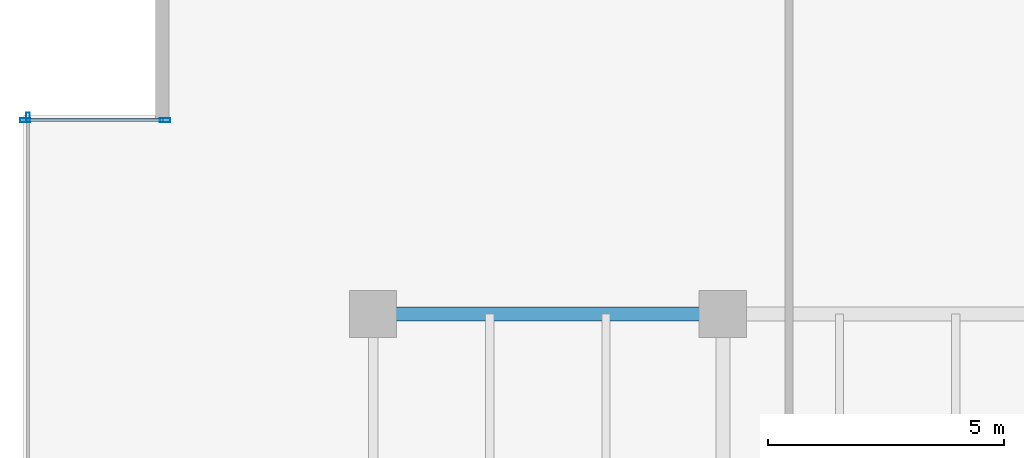
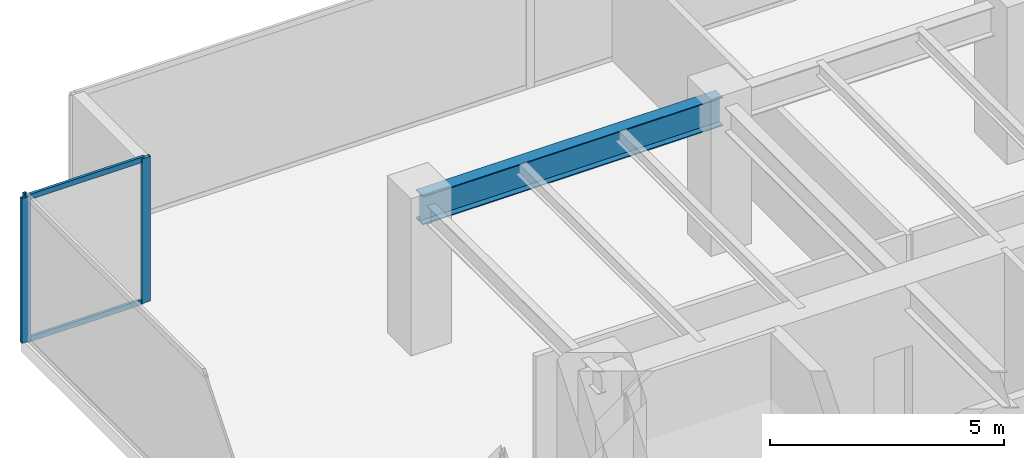
# One storey, part 12 of 35: 5 members, 1 beam, 2 elements without a shape of their own.
"""IFC4 building model written with IfcOpenShell, lengths in metres."""

import ifcopenshell
import ifcopenshell.guid

model = None  # the IFC model being written
_history = None  # IfcOwnerHistory: only IFC2X3 demands one
_inside = {}  # id of a spatial element -> (the spatial element, [elements in it])
_under = {}  # id of a project, library or spatial element -> (it, [spatial elements below it])
_declared = {}  # id of a project -> (the project, [libraries it declares])
_typed = {}  # id of a type object -> (the type object, [elements of that type])
_made_of = {}  # id of a material, layer set ... -> (it, [elements and type objects made of it])


def new_model(schema):
    """Start an empty IFC model of exactly this schema.

    Asked for "IFC4X3", IfcOpenShell would pick the latest addendum, in which some entities
    have other attributes; the version numbers below select the first issue.
    IFC2X3 requires an IfcOwnerHistory on every rooted entity: one is made here for all.
    """
    global model, _history
    if schema == "IFC4X3":
        model = ifcopenshell.file(schema_version=(4, 3, 0, 0))
    else:
        model = ifcopenshell.file(schema=schema)
    _inside.clear()
    _under.clear()
    _declared.clear()
    _typed.clear()
    _made_of.clear()
    _history = None
    if model.schema == "IFC2X3":
        org = make("IfcOrganization", Name="unknown")
        user = make(
            "IfcPersonAndOrganization",
            ThePerson=make("IfcPerson", FamilyName="unknown"),
            TheOrganization=org,
        )
        app = make(
            "IfcApplication",
            ApplicationDeveloper=org,
            Version="unknown",
            ApplicationFullName="unknown",
            ApplicationIdentifier="unknown",
        )
        _history = make(
            "IfcOwnerHistory",
            OwningUser=user,
            OwningApplication=app,
            ChangeAction="ADDED",
            CreationDate=0,
        )
    return model


def make(cls, **values):
    """One entity of the class cls with the attributes given. An attribute that is None is left unset."""
    return model.create_entity(
        cls, **{name: value for name, value in values.items() if value is not None}
    )


def rooted(cls, **values):
    """An entity with a GlobalId (a new one), such as an element, a storey or a relation."""
    return make(cls, GlobalId=ifcopenshell.guid.new(), OwnerHistory=_history, **values)


def si_unit(unit_type, name, prefix=None):
    """IfcSIUnit, for example si_unit("LENGTHUNIT", "METRE", prefix="MILLI")."""
    return make("IfcSIUnit", UnitType=unit_type, Prefix=prefix, Name=name)


def assignment(units):
    """IfcUnitAssignment: the units of a project."""
    return None if units is None else make("IfcUnitAssignment", Units=units)


def point(xyz):
    """IfcCartesianPoint."""
    return None if xyz is None else make("IfcCartesianPoint", Coordinates=xyz)


def direction(xyz):
    """IfcDirection."""
    return None if xyz is None else make("IfcDirection", DirectionRatios=xyz)


def frame(location, z_axis=None, x_axis=None):
    """IfcAxis2Placement3D, a coordinate frame: its origin and axes. An axis left out is left unset."""
    return make(
        "IfcAxis2Placement3D",
        Location=point(location),
        Axis=direction(z_axis),
        RefDirection=direction(x_axis),
    )


def frame_2d(location, x_axis=None):
    """IfcAxis2Placement2D, a coordinate frame in the plane: its origin and x axis."""
    return make(
        "IfcAxis2Placement2D", Location=point(location), RefDirection=direction(x_axis)
    )


def origin():
    """The frame at (0, 0, 0) with its axes left unset."""
    return frame((0.0, 0.0, 0.0))


def origin_2d():
    """The frame at (0, 0) in the plane with its x axis left unset."""
    return frame_2d((0.0, 0.0))


def place(relative_to, where):
    """IfcLocalPlacement: puts the frame where relative to a parent placement (None: the world)."""
    return make(
        "IfcLocalPlacement", PlacementRelTo=relative_to, RelativePlacement=where
    )


def context(
    kind, dimensions, precision=None, world=None, true_north=None, identifier=None
):
    """IfcGeometricRepresentationContext, for example the 3D "Model" context."""
    return make(
        "IfcGeometricRepresentationContext",
        ContextIdentifier=identifier,
        ContextType=kind,
        CoordinateSpaceDimension=dimensions,
        Precision=precision,
        WorldCoordinateSystem=world,
        TrueNorth=true_north,
    )


def subcontext(parent, identifier, kind, view, scale=None):
    """IfcGeometricRepresentationSubContext, for example "Body" below "Model"."""
    return make(
        "IfcGeometricRepresentationSubContext",
        ContextIdentifier=identifier,
        ContextType=kind,
        ParentContext=parent,
        TargetScale=scale,
        TargetView=view,
    )


def project(units=None, contexts=None):
    """IfcProject with its units and contexts."""
    return rooted(
        "IfcProject",
        Name="project",
        RepresentationContexts=contexts,
        UnitsInContext=assignment(units),
    )


def spatial(cls, under=None, at=None, **own):
    """A site, building, storey or space (cls), placed at a placement, below another one or the project."""
    s = rooted(cls, ObjectPlacement=at, **own)
    if under is not None:
        _under.setdefault(under.id(), (under, []))[1].append(s)
    return s


def profile(cls, at=None, kind="AREA", **sizes):
    """A parametric profile (cls). Its sizes go by their IFC names, for example OverallWidth=200.0."""
    return make(cls, ProfileType=kind, Position=at, **sizes)


def hollow_rectangle(**sizes):
    """IfcRectangleHollowProfileDef."""
    return profile("IfcRectangleHollowProfileDef", **sizes)


def i_section(**sizes):
    """IfcIShapeProfileDef."""
    return profile("IfcIShapeProfileDef", **sizes)


def extrude(swept, where, along, depth):
    """IfcExtrudedAreaSolid: the profile swept, set in the frame where, extruded along a direction by depth."""
    return make(
        "IfcExtrudedAreaSolid",
        SweptArea=swept,
        Position=where,
        ExtrudedDirection=direction(along),
        Depth=depth,
    )


def shape(context_of_items, identifier, shape_type, items):
    """IfcShapeRepresentation: the items that make up one representation, for example the "Body"."""
    return make(
        "IfcShapeRepresentation",
        ContextOfItems=context_of_items,
        RepresentationIdentifier=identifier,
        RepresentationType=shape_type,
        Items=items,
    )


def source(mapping_origin, context_of_items, identifier, shape_type, items):
    """IfcRepresentationMap: a shape defined once, which mapped items show again and again."""
    return make(
        "IfcRepresentationMap",
        MappingOrigin=mapping_origin,
        MappedRepresentation=shape(context_of_items, identifier, shape_type, items),
    )


def transform(
    local_origin,
    x_axis=None,
    y_axis=None,
    z_axis=None,
    scale=None,
    scale2=None,
    scale3=None,
    uniform=True,
):
    """IfcCartesianTransformationOperator3D, or its non-uniform kind. x_axis, y_axis, z_axis: its Axis1, 2, 3."""
    if uniform:
        return make(
            "IfcCartesianTransformationOperator3D",
            Axis1=direction(x_axis),
            Axis2=direction(y_axis),
            LocalOrigin=point(local_origin),
            Scale=scale,
            Axis3=direction(z_axis),
        )
    return make(
        "IfcCartesianTransformationOperator3DnonUniform",
        Axis1=direction(x_axis),
        Axis2=direction(y_axis),
        LocalOrigin=point(local_origin),
        Scale=scale,
        Axis3=direction(z_axis),
        Scale2=scale2,
        Scale3=scale3,
    )


def mapped(mapping_source, mapping_target):
    """IfcMappedItem: shows the shape of a source again, moved by a transform."""
    return make(
        "IfcMappedItem", MappingSource=mapping_source, MappingTarget=mapping_target
    )


def material(Name=None, Category=None):
    """IfcMaterial."""
    return make("IfcMaterial", Name=Name, Category=Category)


def layer(
    of_material, thickness, ventilated=None, Name=None, Category=None, Priority=None
):
    """IfcMaterialLayer: one layer of a wall or slab, of a material (None: an air gap)."""
    return make(
        "IfcMaterialLayer",
        Material=of_material,
        LayerThickness=thickness,
        IsVentilated=ventilated,
        Name=Name,
        Category=Category,
        Priority=Priority,
    )


def layer_set(layers, Name=None):
    """IfcMaterialLayerSet."""
    return make("IfcMaterialLayerSet", MaterialLayers=layers, LayerSetName=Name)


def material_profile(
    of_material, cross_section, Name=None, Category=None, Priority=None
):
    """IfcMaterialProfile: a cross section and its material."""
    return make(
        "IfcMaterialProfile",
        Name=Name,
        Material=of_material,
        Profile=cross_section,
        Priority=Priority,
        Category=Category,
    )


def profile_set(profiles, Name=None, composite=None):
    """IfcMaterialProfileSet."""
    return make(
        "IfcMaterialProfileSet",
        Name=Name,
        MaterialProfiles=profiles,
        CompositeProfile=composite,
    )


def made_of(thing, what):
    """Note that an element or type object is made of a material, layer set ...; save() writes the relation."""
    if what is not None:
        _made_of.setdefault(what.id(), (what, []))[1].append(thing)
    return thing


def type_object(cls, material=None, **own):
    """A type object (cls), such as IfcWallType, which elements share."""
    return made_of(rooted(cls, **own), material)


def type_shapes(of_type, sources):
    """Give a type object the sources (RepresentationMaps) that its elements show as mapped items."""
    of_type.RepresentationMaps = sources


def element(
    cls,
    number,
    at=None,
    inside=None,
    cuts=None,
    type_object=None,
    material=None,
    context=None,
    identifier="Body",
    shape_type=None,
    held_by="IfcProductDefinitionShape",
    body=None,
    shapes=None,
    **own,
):
    """One element of the class cls, such as IfcWall. Its Tag is "e" and its number.

    at: its placement. inside: the storey or other place that contains it. cuts: it is an
    opening in that element (IfcRelVoidsElement). A single representation is given by context,
    identifier, shape_type and body (its items); several are given by shapes. held_by: the class
    of the entity that holds the representations. save() writes the other relations.
    """
    e = rooted(cls, Tag="e%d" % number, ObjectPlacement=at, **own)
    if body is not None:
        shapes = [shape(context, identifier, shape_type, body)]
    if shapes is not None:
        e.Representation = make(held_by, Representations=shapes)
    if inside is not None:
        _inside.setdefault(inside.id(), (inside, []))[1].append(e)
    if cuts is not None:
        rooted(
            "IfcRelVoidsElement", RelatingBuildingElement=cuts, RelatedOpeningElement=e
        )
    if type_object is not None:
        _typed.setdefault(type_object.id(), (type_object, []))[1].append(e)
    return made_of(e, material)


def aggregate(whole, parts):
    """IfcRelAggregates: a whole, such as a stair, and the parts it consists of."""
    return rooted("IfcRelAggregates", RelatingObject=whole, RelatedObjects=parts)


def save(model, path):
    """Write the relations noted so far, then the file.

    IfcRelAggregates (storeys below a building ...), IfcRelContainedInSpatialStructure (elements
    in a storey), IfcRelDefinesByType, IfcRelAssociatesMaterial and IfcRelDeclares: one each for
    every whole, place, type object, material and project.
    """
    for whole, parts in _under.values():
        aggregate(whole, parts)
    for where, things in _inside.values():
        rooted(
            "IfcRelContainedInSpatialStructure",
            RelatedElements=things,
            RelatingStructure=where,
        )
    for kind, things in _typed.values():
        rooted("IfcRelDefinesByType", RelatedObjects=things, RelatingType=kind)
    for what, things in _made_of.values():
        rooted("IfcRelAssociatesMaterial", RelatedObjects=things, RelatingMaterial=what)
    for by, libraries in _declared.values():
        rooted("IfcRelDeclares", RelatingContext=by, RelatedDefinitions=libraries)
    model.write(path)


model = new_model("IFC4")

# Units and contexts
model_context = context("Model", 3, precision=1e-05, world=origin(), true_north=direction((0.0, 1.0)))
body_context = subcontext(model_context, "Body", "Model", "MODEL_VIEW")
ifc_project = project(units=[si_unit("LENGTHUNIT", "METRE"), si_unit("AREAUNIT", "SQUARE_METRE"), si_unit("VOLUMEUNIT", "CUBIC_METRE"), si_unit("PLANEANGLEUNIT", "RADIAN"), si_unit("MASSUNIT", "GRAM", prefix="KILO")], contexts=[model_context])

# Site, building, storey
site_placement = place(None, origin())
site = spatial("IfcSite", under=ifc_project, at=site_placement, CompositionType="ELEMENT")
building_placement = place(site_placement, origin())
building = spatial("IfcBuilding", under=site, at=building_placement, Name="Haelvirn Gate Laboratories", CompositionType="ELEMENT")
storey_placement = place(building_placement, frame((0.0, 0.0, 90.800048828125)))
storey = spatial("IfcBuildingStorey", under=building, at=storey_placement, Name="L22", CompositionType="ELEMENT", Elevation=90.800048828125)

# Beam
ifc_material_1 = material(Name="Steel SM355", Category="steel")
ifc_material_profile_1 = material_profile(ifc_material_1, i_section(OverallWidth=0.300048828125, OverallDepth=0.75, WebThickness=0.013916015625, FlangeThickness=0.02392578125, at=origin_2d()), Name="H-750x300x14x24")
ifc_profile_set_1 = profile_set([ifc_material_profile_1], Name="Steel SM355")
beam_type = type_object("IfcBeamType", Name="BM-G-750", PredefinedType="BEAM", material=ifc_profile_set_1)
shared_shape_1 = source(origin(), body_context, "Body", "SweptSolid", [
    extrude(i_section(OverallWidth=0.300048828125, OverallDepth=0.75, WebThickness=0.013916015625, FlangeThickness=0.02392578125, at=origin_2d()), origin(), (0.0, 0.0, 1.0), 7.400146484375),
])
type_shapes(beam_type, [shared_shape_1])
beam_placement = place(storey_placement, frame((7.39990234375, 41.60009765625, 3.405029296875), z_axis=(1.0, 0.0, 0.0), x_axis=(0.0, 1.0, 0.0)))
element("IfcBeam", 1, at=beam_placement, inside=storey, type_object=beam_type, Name="L22 Primary Girder Y41.6 (7.4-14.8)", PredefinedType="BEAM", context=body_context, shape_type="MappedRepresentation", body=[
    mapped(shared_shape_1, transform((0.0, 0.0, 0.0), scale=1.0)),
])

# Curtain wall, member
ifc_material_2 = material(Name="Anodised bronze unitised aluminium & triple low-E glass", Category="aluminium")
ifc_layer_1 = layer(ifc_material_2, 0.18408203125, Name="CW-SYS-2")
ifc_layer_set_1 = layer_set([ifc_layer_1], Name="Anodised bronze unitised aluminium & triple low-E glass")
curtain_wall_type_1 = type_object("IfcCurtainWallType", Name="CW-SYS-2", PredefinedType="NOTDEFINED", material=ifc_layer_set_1)
curtain_wall_1_placement = place(storey_placement, origin())
curtain_wall_1 = element("IfcCurtainWall", 2, at=curtain_wall_1_placement, inside=storey, type_object=curtain_wall_type_1, Name="L22 Unitised Curtain Wall CW-L22-P0-E17", PredefinedType="NOTDEFINED")
ifc_material_3 = material(Name="Extruded aluminium 6063-T6 (anodised bronze)", Category="aluminium")
ifc_material_profile_2 = material_profile(ifc_material_3, hollow_rectangle(XDim=0.074951171875, YDim=0.199951171875, WallThickness=0.0048828125, at=origin_2d()), Name="CWM-200x75x5")
ifc_profile_set_2 = profile_set([ifc_material_profile_2], Name="Extruded aluminium 6063-T6 (anodised bronze)")
member_type_1 = type_object("IfcMemberType", Name="CWM-T200", PredefinedType="MULLION", material=ifc_profile_set_2)
shared_shape_2 = source(origin(), body_context, "Body", "SweptSolid", [
    extrude(hollow_rectangle(XDim=0.074951171875, YDim=0.199951171875, WallThickness=0.0048828125, at=origin_2d()), origin(), (0.0, 0.0, 1.0), 3.780029296875),
])
type_shapes(member_type_1, [shared_shape_2])
member_1_placement = place(storey_placement, frame((0.10009765625, 45.762451171875, 0.0), z_axis=(0.0, 0.0, 1.0), x_axis=(1.0, 0.0, 0.0)))
member_1 = element("IfcMember", 3, at=member_1_placement, type_object=member_type_1, Name="CW2 mullion 1", PredefinedType="MULLION", context=body_context, shape_type="MappedRepresentation", body=[
    mapped(shared_shape_2, transform((0.0, 0.0, 0.0), scale=1.0)),
])
aggregate(curtain_wall_1, [member_1])

# Curtain wall, members
ifc_layer_2 = layer(ifc_material_2, 0.181884765625, Name="CW-SYS-5")
ifc_layer_set_2 = layer_set([ifc_layer_2], Name="Anodised bronze unitised aluminium & triple low-E glass")
curtain_wall_type_2 = type_object("IfcCurtainWallType", Name="CW-SYS-5", PredefinedType="NOTDEFINED", material=ifc_layer_set_2)
curtain_wall_2_placement = place(storey_placement, origin())
curtain_wall_2 = element("IfcCurtainWall", 4, at=curtain_wall_2_placement, inside=storey, type_object=curtain_wall_type_2, Name="L22 Unitised Curtain Wall CW-L22-P0-E16-1", PredefinedType="NOTDEFINED")
ifc_material_profile_3 = material_profile(ifc_material_3, hollow_rectangle(XDim=0.080078125, YDim=0.219970703125, WallThickness=0.006103515625, at=origin_2d()), Name="CWM-220x80x6")
ifc_profile_set_3 = profile_set([ifc_material_profile_3], Name="Extruded aluminium 6063-T6 (anodised bronze)")
member_type_2 = type_object("IfcMemberType", Name="CWM-T220", PredefinedType="MULLION", material=ifc_profile_set_3)
shared_shape_3 = source(origin(), body_context, "Body", "SweptSolid", [
    extrude(hollow_rectangle(XDim=0.080078125, YDim=0.219970703125, WallThickness=0.006103515625, at=origin_2d()), origin(), (0.0, 0.0, 1.0), 3.780029296875),
])
type_shapes(member_type_2, [shared_shape_3])
member_2_placement = place(storey_placement, frame((0.0400390625, 45.699951171875, 0.0), z_axis=(0.0, 0.0, 1.0), x_axis=(0.0, 1.0, 0.0)))
member_2 = element("IfcMember", 5, at=member_2_placement, type_object=member_type_2, Name="CW5 mullion 1", PredefinedType="MULLION", context=body_context, shape_type="MappedRepresentation", body=[
    mapped(shared_shape_3, transform((0.0, 0.0, 0.0), scale=1.0)),
])
member_3_placement = place(storey_placement, frame((3.0, 45.699951171875, 0.0), z_axis=(0.0, 0.0, 1.0), x_axis=(0.0, 1.0, 0.0)))
member_3 = element("IfcMember", 6, at=member_3_placement, type_object=member_type_2, Name="CW5 mullion 2", PredefinedType="MULLION", context=body_context, shape_type="MappedRepresentation", body=[
    mapped(shared_shape_3, transform((0.0, 0.0, 0.0), scale=1.0)),
])
ifc_material_profile_4 = material_profile(ifc_material_3, hollow_rectangle(XDim=0.06494140625, YDim=0.139892578125, WallThickness=0.00390625, at=origin_2d()), Name="CWT-140x65x4")
ifc_profile_set_4 = profile_set([ifc_material_profile_4], Name="Extruded aluminium 6063-T6 (anodised bronze)")
member_type_3 = type_object("IfcMemberType", Name="CWT-T140", PredefinedType="USERDEFINED", material=ifc_profile_set_4)
shared_shape_4 = source(origin(), body_context, "Body", "SweptSolid", [
    extrude(hollow_rectangle(XDim=0.06494140625, YDim=0.139892578125, WallThickness=0.00390625, at=origin_2d()), origin(), (0.0, 0.0, 1.0), 2.8798828125),
])
type_shapes(member_type_3, [shared_shape_4])
member_4_placement = place(storey_placement, frame((0.080078125, 45.699951171875, 0.032470703125), z_axis=(1.0, 0.0, 0.0), x_axis=(0.0, 1.0, 0.0)))
member_4 = element("IfcMember", 7, at=member_4_placement, type_object=member_type_3, Name="CW5 transom 1.1", ObjectType="TRANSOM", PredefinedType="USERDEFINED", context=body_context, shape_type="MappedRepresentation", body=[
    mapped(shared_shape_4, transform((0.0, 0.0, 0.0), scale=1.0)),
])
member_5_placement = place(storey_placement, frame((0.080078125, 45.699951171875, 3.74755859375), z_axis=(1.0, 0.0, 0.0), x_axis=(0.0, 1.0, 0.0)))
member_5 = element("IfcMember", 8, at=member_5_placement, type_object=member_type_3, Name="CW5 transom 1.2", ObjectType="TRANSOM", PredefinedType="USERDEFINED", context=body_context, shape_type="MappedRepresentation", body=[
    mapped(shared_shape_4, transform((0.0, 0.0, 0.0), scale=1.0)),
])
aggregate(curtain_wall_2, [member_2, member_3, member_4, member_5])

save(model, "model.ifc")
